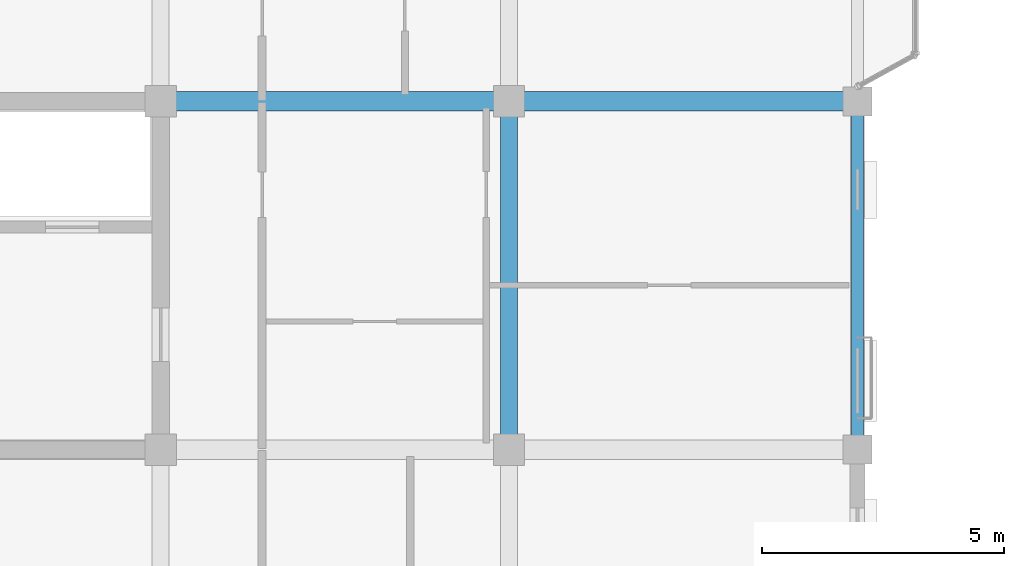
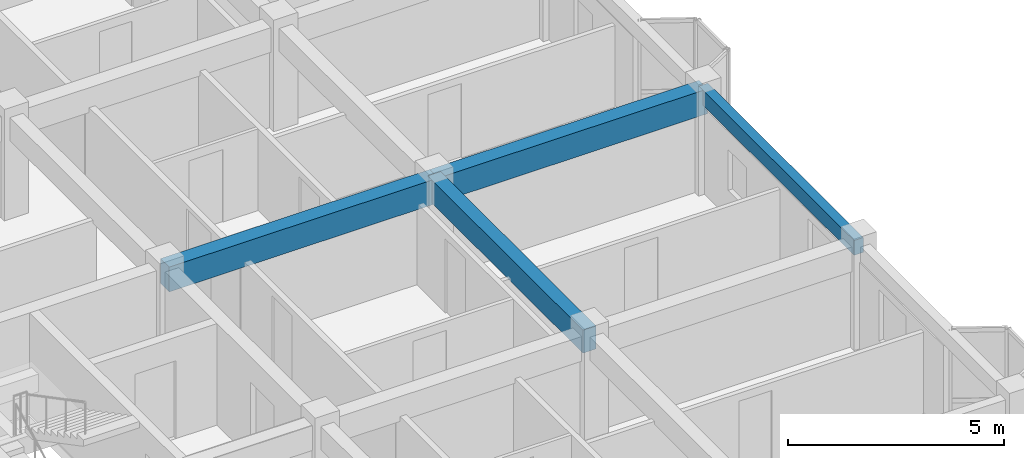
# One storey, part 7 of 124: 4 beams.
"""IFC4 building model written with IfcOpenShell, lengths in metres."""

from ifc_helpers import new_model, si_unit, direction, frame, origin, origin_2d, place, context, subcontext, project, spatial, rectangle, extrude, material, material_profile, profile_set, type_object, element, save


model = new_model("IFC4")

# Units and contexts
model_context = context("Model", 3, precision=1e-05, world=origin(), true_north=direction((0.0, 1.0)))
body_context = subcontext(model_context, "Body", "Model", "MODEL_VIEW")
ifc_project = project(units=[si_unit("LENGTHUNIT", "METRE"), si_unit("AREAUNIT", "SQUARE_METRE"), si_unit("VOLUMEUNIT", "CUBIC_METRE"), si_unit("PLANEANGLEUNIT", "RADIAN"), si_unit("MASSUNIT", "GRAM", prefix="KILO"), si_unit("THERMODYNAMICTEMPERATUREUNIT", "KELVIN"), si_unit("POWERUNIT", "WATT")], contexts=[model_context])

# Site, building, storey
site_placement = place(None, origin())
site = spatial("IfcSite", under=ifc_project, at=site_placement, CompositionType="ELEMENT")
building_placement = place(site_placement, origin())
building = spatial("IfcBuilding", under=site, at=building_placement, Name="Tavuni Mirador Residences", CompositionType="ELEMENT")
storey_placement = place(building_placement, frame((0.0, 0.0, 7.64990234375)))
storey = spatial("IfcBuildingStorey", under=building, at=storey_placement, Name="L02", CompositionType="ELEMENT", Elevation=7.64990234375)

# Beams
ifc_material = material(Name="Precast concrete C40/50", Category="concrete")
ifc_material_profile_1 = material_profile(ifc_material, rectangle(XDim=0.35009765625, YDim=0.64990234375, at=origin_2d()), Name="PC 350x650", Category="concrete")
ifc_profile_set_1 = profile_set([ifc_material_profile_1], Name="Precast concrete C40/50")
beam_type_1 = type_object("IfcBeamType", Name="BT-B650", PredefinedType="BEAM", material=ifc_profile_set_1)
beam_1_placement = place(storey_placement, frame((25.199951171875, 14.39990234375, 2.545166015625), z_axis=(0.0, 1.0, 0.0), x_axis=(-1.0, 0.0, 0.0)))
element("IfcBeam", 1, at=beam_1_placement, inside=storey, type_object=beam_type_1, Name="BMY-BLK-A-L02-03-01", PredefinedType="BEAM", context=body_context, shape_type="SweptSolid", body=[
    extrude(rectangle(XDim=0.35009765625, YDim=0.64990234375, at=origin_2d()), origin(), (0.0, 0.0, 1.0), 7.2001953125),
])
ifc_material_profile_2 = material_profile(ifc_material, rectangle(XDim=0.39990234375, YDim=0.699951171875, at=origin_2d()), Name="PC 400x700", Category="concrete")
ifc_profile_set_2 = profile_set([ifc_material_profile_2], Name="Precast concrete C40/50")
beam_type_2 = type_object("IfcBeamType", Name="BT-B700", PredefinedType="BEAM", material=ifc_profile_set_2)
for number, where, z_axis, x_axis, name in (
    (2, (18.0, 21.60009765625, 2.52001953125), (1.0, 0.0, 0.0), (0.0, 1.0, 0.0), "BMX-BLK-A-L02-02-02"),
    (3, (25.199951171875, 21.60009765625, 2.52001953125), (1.0, 0.0, 0.0), (0.0, 1.0, 0.0), "BMX-BLK-A-L02-03-02"),
):
    element("IfcBeam", number, at=place(storey_placement, frame(where, z_axis=z_axis, x_axis=x_axis)), inside=storey, type_object=beam_type_2, Name=name, PredefinedType="BEAM", context=body_context, shape_type="SweptSolid", body=[
        extrude(rectangle(XDim=0.39990234375, YDim=0.699951171875, at=origin_2d()), origin(), (0.0, 0.0, 1.0), 7.199951171875),
    ])
ifc_material_profile_3 = material_profile(ifc_material, rectangle(XDim=0.25, YDim=0.419921875, at=origin_2d()), Name="PC 250x420", Category="concrete")
ifc_profile_set_3 = profile_set([ifc_material_profile_3], Name="Precast concrete C40/50")
beam_type_3 = type_object("IfcBeamType", Name="BT-SP420", PredefinedType="SPANDREL", material=ifc_profile_set_3)
beam_2_placement = place(storey_placement, frame((32.39990234375, 14.39990234375, 2.66015625), z_axis=(0.0, 1.0, 0.0), x_axis=(-1.0, 0.0, 0.0)))
element("IfcBeam", 4, at=beam_2_placement, inside=storey, type_object=beam_type_3, Name="BMY-BLK-A-L02-04-01", PredefinedType="SPANDREL", context=body_context, shape_type="SweptSolid", body=[
    extrude(rectangle(XDim=0.25, YDim=0.419921875, at=origin_2d()), origin(), (0.0, 0.0, 1.0), 7.2001953125),
])

save(model, "model.ifc")
